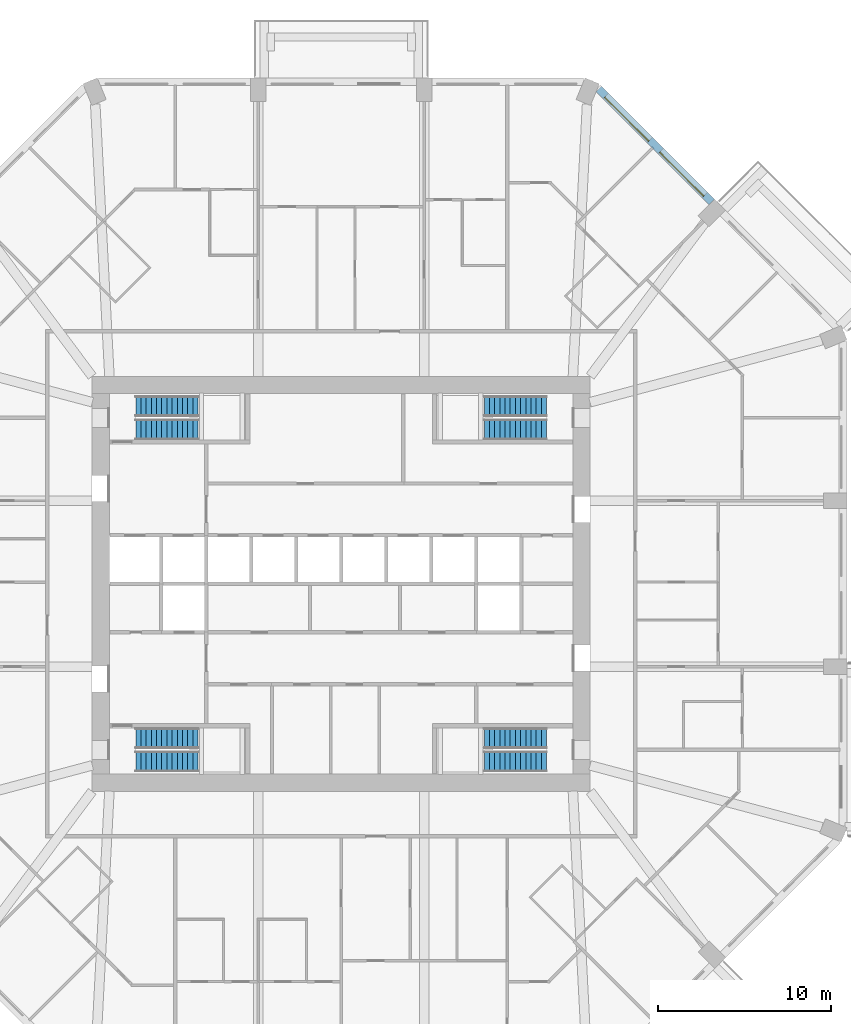
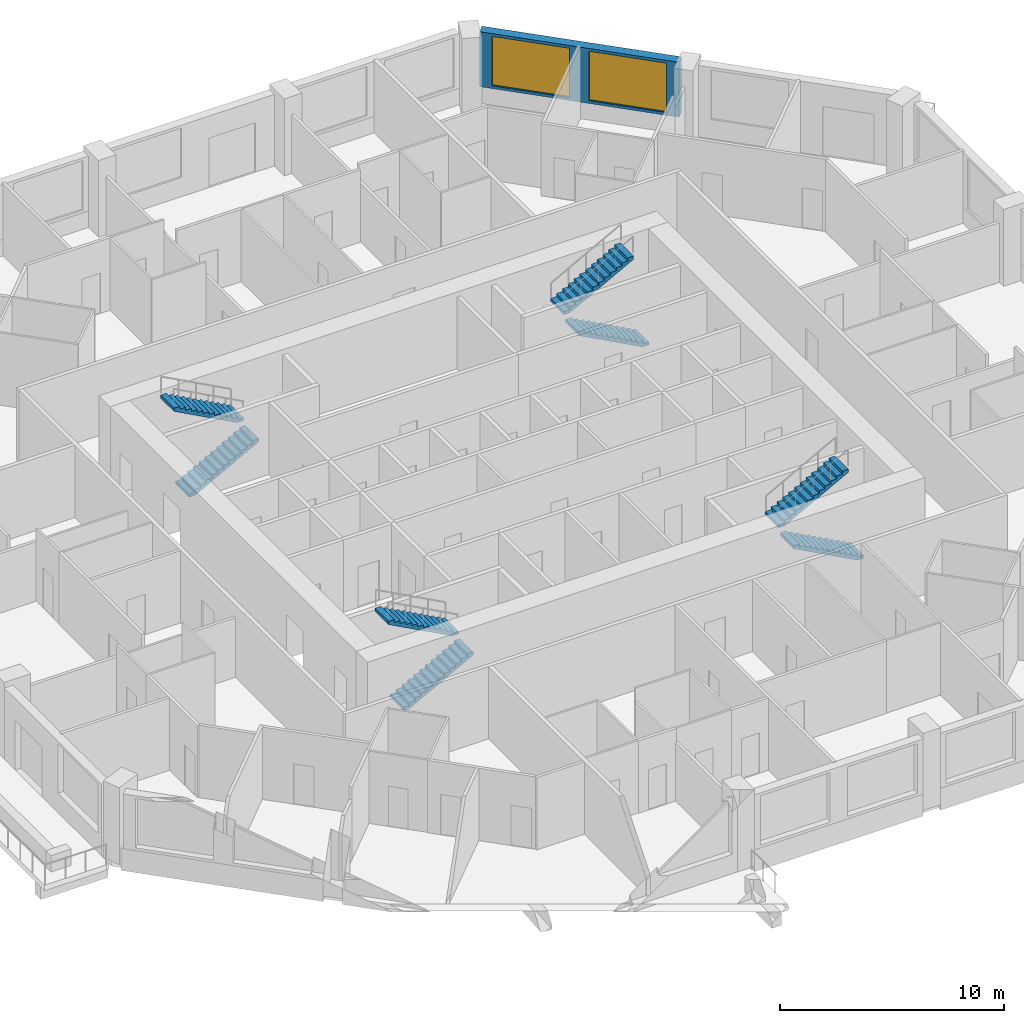
# One storey, part 11 of 13: 8 stair flights, 2 windows, 1 wall, 2 openings, 4 elements without a shape of their own.
"""IFC4 building model written with IfcOpenShell, lengths in metres."""

from ifc_helpers import new_model, si_unit, direction, frame, frame_2d, origin, place, context, subcontext, project, spatial, polyline, rectangle, outline, extrude, material, layer, layer_set, type_object, element, fill, aggregate, save


model = new_model("IFC4")

# Units and contexts
model_context = context("Model", 3, precision=1e-05, world=origin(), true_north=direction((0.0, 1.0)))
body_context = subcontext(model_context, "Body", "Model", "MODEL_VIEW")
ifc_project = project(units=[si_unit("LENGTHUNIT", "METRE"), si_unit("AREAUNIT", "SQUARE_METRE"), si_unit("VOLUMEUNIT", "CUBIC_METRE"), si_unit("PLANEANGLEUNIT", "RADIAN"), si_unit("MASSUNIT", "GRAM", prefix="KILO")], contexts=[model_context])

# Site, building, storey
site_placement = place(None, origin())
site = spatial("IfcSite", under=ifc_project, at=site_placement, CompositionType="ELEMENT")
building_placement = place(site_placement, origin())
building = spatial("IfcBuilding", under=site, at=building_placement, Name="Msitu Wima Residences", CompositionType="ELEMENT")
storey_placement = place(building_placement, frame((0.0, 0.0, 54.89990234375)))
storey = spatial("IfcBuildingStorey", under=building, at=storey_placement, Name="L12", CompositionType="ELEMENT", Elevation=54.89990234375)

# Wall, openings, windows
ifc_material_1 = material(Name="Brick (red buff mix)", Category="masonry")
ifc_layer = layer(ifc_material_1, 0.449951171875)
ifc_layer_set = layer_set([ifc_layer], Name="Brick (red buff mix)")
wall_type = type_object("IfcWallType", Name="Brick infill wall BW450", PredefinedType="SOLIDWALL", material=ifc_layer_set)
wall_placement = place(storey_placement, frame((21.44091796875, 22.077392578125, 0.900146484375), z_axis=(0.0, 0.0, 1.0), x_axis=(-0.707106781187, 0.707106781187, 0.0)))
wall = element("IfcWall", 1, at=wall_placement, inside=storey, type_object=wall_type, Name="Brick infill wall L12 NE1", PredefinedType="SOLIDWALL", context=body_context, shape_type="SweptSolid", body=[
    extrude(rectangle(XDim=9.2451171875, YDim=0.449951171875, at=frame_2d((4.62255859375, 0.0))), origin(), (0.0, 0.0, 1.0), 3.0),
])
opening_1_placement = place(wall_placement, frame((0.572509765625, 0.0, 0.14990234375)))
opening_1 = element("IfcOpeningElement", 2, at=opening_1_placement, cuts=wall, Name="Opening W11-12.012", PredefinedType="OPENING", context=body_context, shape_type="SweptSolid", body=[
    extrude(rectangle(XDim=3.60009765625, YDim=2.699951171875, at=frame_2d((1.800048828125, 1.35009765625))), frame((0.0, 0.23486328125, 0.0), z_axis=(0.0, -1.0, 0.0), x_axis=(1.0, 0.0, 0.0)), (0.0, 0.0, 1.0), 0.469970703125),
])
opening_2_placement = place(wall_placement, frame((5.072509765625, 0.0, 0.14990234375)))
opening_2 = element("IfcOpeningElement", 3, at=opening_2_placement, cuts=wall, Name="Opening W11-12.013", PredefinedType="OPENING", context=body_context, shape_type="SweptSolid", body=[
    extrude(rectangle(XDim=3.60009765625, YDim=2.699951171875, at=frame_2d((1.800048828125, 1.35009765625))), frame((0.0, 0.23486328125, 0.0), z_axis=(0.0, -1.0, 0.0), x_axis=(1.0, 0.0, 0.0)), (0.0, 0.0, 1.0), 0.469970703125),
])
ifc_material_2 = material(Name="Anodised aluminium, bronze finish, clear low-emissivity double glazing", Category="aluminium")
window_type = type_object("IfcWindowType", Name="Window W3600x2700", PartitioningType="DOUBLE_PANEL_VERTICAL", PredefinedType="WINDOW", material=ifc_material_2)
window_1_placement = place(opening_1_placement, origin())
window_1 = element("IfcWindow", 4, at=window_1_placement, inside=storey, type_object=window_type, Name="Window L12 NE1.1", OverallHeight=2.699951171875, OverallWidth=3.60009765625, PartitioningType="SINGLE_PANEL", PredefinedType="WINDOW", context=body_context, shape_type="SweptSolid", body=[
    extrude(rectangle(XDim=3.60009765625, YDim=2.699951171875, at=frame_2d((1.800048828125, 1.35009765625))), frame((0.0, 0.135009765625, 0.0), z_axis=(0.0, -1.0, 0.0), x_axis=(1.0, 0.0, 0.0)), (0.0, 0.0, 1.0), 0.06005859375),
])
fill(opening_1, window_1)
window_2_placement = place(opening_2_placement, origin())
window_2 = element("IfcWindow", 5, at=window_2_placement, inside=storey, type_object=window_type, Name="Window L12 NE1.2", OverallHeight=2.699951171875, OverallWidth=3.60009765625, PartitioningType="SINGLE_PANEL", PredefinedType="WINDOW", context=body_context, shape_type="SweptSolid", body=[
    extrude(rectangle(XDim=3.60009765625, YDim=2.699951171875, at=frame_2d((1.800048828125, 1.35009765625))), frame((0.0, 0.135009765625, 0.0), z_axis=(0.0, -1.0, 0.0), x_axis=(1.0, 0.0, 0.0)), (0.0, 0.0, 1.0), 0.06005859375),
])
fill(opening_2, window_2)

# Stair, stair flights
ifc_material_3 = material(Name="Concrete C40/50", Category="concrete")
stair_type = type_object("IfcStairType", Name="Exit stair ES1615-120", PredefinedType="HALF_TURN_STAIR", material=ifc_material_3)
stair_1_placement = place(storey_placement, origin())
stair_1 = element("IfcStair", 6, at=stair_1_placement, inside=storey, type_object=stair_type, Name="Exit stair 1", PredefinedType="HALF_TURN_STAIR")
stair_flight_type = type_object("IfcStairFlightType", Name="Exit stair flight ES1615-120", PredefinedType="STRAIGHT", material=ifc_material_3)
stair_flight_1_placement = place(storey_placement, frame((-11.875, 8.925048828125, 0.0), z_axis=(0.0, 0.0, 1.0), x_axis=(1.0, 0.0, 0.0)))
stair_flight_1 = element("IfcStairFlight", 7, at=stair_flight_1_placement, type_object=stair_flight_type, Name="S1 flight 1", NumberOfRisers=13, NumberOfTreads=12, PredefinedType="STRAIGHT", RiserHeight=0.161538462, TreadLength=0.3, context=body_context, shape_type="SweptSolid", body=[
    extrude(outline(polyline([(0.0, 0.0), (0.0, 0.16162109375), (0.300048828125, 0.16162109375), (0.300048828125, 0.322998046875), (0.60009765625, 0.322998046875), (0.60009765625, 0.484619140625), (0.89990234375, 0.484619140625), (0.89990234375, 0.646240234375), (1.199951171875, 0.646240234375), (1.199951171875, 0.8076171875), (1.5, 0.8076171875), (1.5, 0.96923828125), (1.800048828125, 0.96923828125), (1.800048828125, 1.130859375), (2.10009765625, 1.130859375), (2.10009765625, 1.292236328125), (2.39990234375, 1.292236328125), (2.39990234375, 1.453857421875), (2.699951171875, 1.453857421875), (2.699951171875, 1.615478515625), (3.0, 1.615478515625), (3.0, 1.77685546875), (3.300048828125, 1.77685546875), (3.300048828125, 1.9384765625), (3.60009765625, 1.9384765625), (3.60009765625, 2.10009765625), (3.60009765625, 1.768310546875), (0.316162109375, 0.0), (0.0, 0.0)])), frame((0.0, 0.60009765625, 0.0), z_axis=(0.0, -1.0, 0.0), x_axis=(1.0, 0.0, 0.0)), (0.0, 0.0, 1.0), 1.199951171875),
])
stair_flight_2_placement = place(storey_placement, frame((-8.27490234375, 10.27490234375, 2.10009765625), z_axis=(0.0, 0.0, 1.0), x_axis=(-1.0, 0.0, 0.0)))
stair_flight_2 = element("IfcStairFlight", 8, at=stair_flight_2_placement, type_object=stair_flight_type, Name="S1 flight 2", NumberOfRisers=13, NumberOfTreads=12, PredefinedType="STRAIGHT", RiserHeight=0.161538462, TreadLength=0.3, context=body_context, shape_type="SweptSolid", body=[
    extrude(outline(polyline([(0.0, 0.0), (0.0, 0.16162109375), (0.300048828125, 0.16162109375), (0.300048828125, 0.322998046875), (0.60009765625, 0.322998046875), (0.60009765625, 0.484619140625), (0.89990234375, 0.484619140625), (0.89990234375, 0.646240234375), (1.199951171875, 0.646240234375), (1.199951171875, 0.8076171875), (1.5, 0.8076171875), (1.5, 0.96923828125), (1.800048828125, 0.96923828125), (1.800048828125, 1.130859375), (2.10009765625, 1.130859375), (2.10009765625, 1.292236328125), (2.39990234375, 1.292236328125), (2.39990234375, 1.453857421875), (2.699951171875, 1.453857421875), (2.699951171875, 1.615478515625), (3.0, 1.615478515625), (3.0, 1.77685546875), (3.300048828125, 1.77685546875), (3.300048828125, 1.9384765625), (3.60009765625, 1.9384765625), (3.60009765625, 2.10009765625), (3.60009765625, 1.768310546875), (0.316162109375, 0.0), (0.0, 0.0)])), frame((0.0, 0.60009765625, 0.0), z_axis=(0.0, -1.0, 0.0), x_axis=(1.0, 0.0, 0.0)), (0.0, 0.0, 1.0), 1.199951171875),
])
aggregate(stair_1, [stair_flight_1, stair_flight_2])

stair_2_placement = place(storey_placement, origin())
stair_2 = element("IfcStair", 9, at=stair_2_placement, inside=storey, type_object=stair_type, Name="Exit stair 2", PredefinedType="HALF_TURN_STAIR")
stair_flight_3_placement = place(storey_placement, frame((-11.875, -10.27490234375, 0.0), z_axis=(0.0, 0.0, 1.0), x_axis=(1.0, 0.0, 0.0)))
stair_flight_3 = element("IfcStairFlight", 10, at=stair_flight_3_placement, type_object=stair_flight_type, Name="S2 flight 1", NumberOfRisers=13, NumberOfTreads=12, PredefinedType="STRAIGHT", RiserHeight=0.161538462, TreadLength=0.3, context=body_context, shape_type="SweptSolid", body=[
    extrude(outline(polyline([(0.0, 0.0), (0.0, 0.16162109375), (0.300048828125, 0.16162109375), (0.300048828125, 0.322998046875), (0.60009765625, 0.322998046875), (0.60009765625, 0.484619140625), (0.89990234375, 0.484619140625), (0.89990234375, 0.646240234375), (1.199951171875, 0.646240234375), (1.199951171875, 0.8076171875), (1.5, 0.8076171875), (1.5, 0.96923828125), (1.800048828125, 0.96923828125), (1.800048828125, 1.130859375), (2.10009765625, 1.130859375), (2.10009765625, 1.292236328125), (2.39990234375, 1.292236328125), (2.39990234375, 1.453857421875), (2.699951171875, 1.453857421875), (2.699951171875, 1.615478515625), (3.0, 1.615478515625), (3.0, 1.77685546875), (3.300048828125, 1.77685546875), (3.300048828125, 1.9384765625), (3.60009765625, 1.9384765625), (3.60009765625, 2.10009765625), (3.60009765625, 1.768310546875), (0.316162109375, 0.0), (0.0, 0.0)])), frame((0.0, 0.60009765625, 0.0), z_axis=(0.0, -1.0, 0.0), x_axis=(1.0, 0.0, 0.0)), (0.0, 0.0, 1.0), 1.199951171875),
])
stair_flight_4_placement = place(storey_placement, frame((-8.27490234375, -8.925048828125, 2.10009765625), z_axis=(0.0, 0.0, 1.0), x_axis=(-1.0, 0.0, 0.0)))
stair_flight_4 = element("IfcStairFlight", 11, at=stair_flight_4_placement, type_object=stair_flight_type, Name="S2 flight 2", NumberOfRisers=13, NumberOfTreads=12, PredefinedType="STRAIGHT", RiserHeight=0.161538462, TreadLength=0.3, context=body_context, shape_type="SweptSolid", body=[
    extrude(outline(polyline([(0.0, 0.0), (0.0, 0.16162109375), (0.300048828125, 0.16162109375), (0.300048828125, 0.322998046875), (0.60009765625, 0.322998046875), (0.60009765625, 0.484619140625), (0.89990234375, 0.484619140625), (0.89990234375, 0.646240234375), (1.199951171875, 0.646240234375), (1.199951171875, 0.8076171875), (1.5, 0.8076171875), (1.5, 0.96923828125), (1.800048828125, 0.96923828125), (1.800048828125, 1.130859375), (2.10009765625, 1.130859375), (2.10009765625, 1.292236328125), (2.39990234375, 1.292236328125), (2.39990234375, 1.453857421875), (2.699951171875, 1.453857421875), (2.699951171875, 1.615478515625), (3.0, 1.615478515625), (3.0, 1.77685546875), (3.300048828125, 1.77685546875), (3.300048828125, 1.9384765625), (3.60009765625, 1.9384765625), (3.60009765625, 2.10009765625), (3.60009765625, 1.768310546875), (0.316162109375, 0.0), (0.0, 0.0)])), frame((0.0, 0.60009765625, 0.0), z_axis=(0.0, -1.0, 0.0), x_axis=(1.0, 0.0, 0.0)), (0.0, 0.0, 1.0), 1.199951171875),
])
aggregate(stair_2, [stair_flight_3, stair_flight_4])

stair_3_placement = place(storey_placement, origin())
stair_3 = element("IfcStair", 12, at=stair_3_placement, inside=storey, type_object=stair_type, Name="Exit stair 3", PredefinedType="HALF_TURN_STAIR")
stair_flight_5_placement = place(storey_placement, frame((11.875, 8.925048828125, 0.0), z_axis=(0.0, 0.0, 1.0), x_axis=(-1.0, 0.0, 0.0)))
stair_flight_5 = element("IfcStairFlight", 13, at=stair_flight_5_placement, type_object=stair_flight_type, Name="S3 flight 1", NumberOfRisers=13, NumberOfTreads=12, PredefinedType="STRAIGHT", RiserHeight=0.161538462, TreadLength=0.3, context=body_context, shape_type="SweptSolid", body=[
    extrude(outline(polyline([(0.0, 0.0), (0.0, 0.16162109375), (0.300048828125, 0.16162109375), (0.300048828125, 0.322998046875), (0.60009765625, 0.322998046875), (0.60009765625, 0.484619140625), (0.89990234375, 0.484619140625), (0.89990234375, 0.646240234375), (1.199951171875, 0.646240234375), (1.199951171875, 0.8076171875), (1.5, 0.8076171875), (1.5, 0.96923828125), (1.800048828125, 0.96923828125), (1.800048828125, 1.130859375), (2.10009765625, 1.130859375), (2.10009765625, 1.292236328125), (2.39990234375, 1.292236328125), (2.39990234375, 1.453857421875), (2.699951171875, 1.453857421875), (2.699951171875, 1.615478515625), (3.0, 1.615478515625), (3.0, 1.77685546875), (3.300048828125, 1.77685546875), (3.300048828125, 1.9384765625), (3.60009765625, 1.9384765625), (3.60009765625, 2.10009765625), (3.60009765625, 1.768310546875), (0.316162109375, 0.0), (0.0, 0.0)])), frame((0.0, 0.60009765625, 0.0), z_axis=(0.0, -1.0, 0.0), x_axis=(1.0, 0.0, 0.0)), (0.0, 0.0, 1.0), 1.199951171875),
])
stair_flight_6_placement = place(storey_placement, frame((8.27490234375, 10.27490234375, 2.10009765625), z_axis=(0.0, 0.0, 1.0), x_axis=(1.0, 0.0, 0.0)))
stair_flight_6 = element("IfcStairFlight", 14, at=stair_flight_6_placement, type_object=stair_flight_type, Name="S3 flight 2", NumberOfRisers=13, NumberOfTreads=12, PredefinedType="STRAIGHT", RiserHeight=0.161538462, TreadLength=0.3, context=body_context, shape_type="SweptSolid", body=[
    extrude(outline(polyline([(0.0, 0.0), (0.0, 0.16162109375), (0.300048828125, 0.16162109375), (0.300048828125, 0.322998046875), (0.60009765625, 0.322998046875), (0.60009765625, 0.484619140625), (0.89990234375, 0.484619140625), (0.89990234375, 0.646240234375), (1.199951171875, 0.646240234375), (1.199951171875, 0.8076171875), (1.5, 0.8076171875), (1.5, 0.96923828125), (1.800048828125, 0.96923828125), (1.800048828125, 1.130859375), (2.10009765625, 1.130859375), (2.10009765625, 1.292236328125), (2.39990234375, 1.292236328125), (2.39990234375, 1.453857421875), (2.699951171875, 1.453857421875), (2.699951171875, 1.615478515625), (3.0, 1.615478515625), (3.0, 1.77685546875), (3.300048828125, 1.77685546875), (3.300048828125, 1.9384765625), (3.60009765625, 1.9384765625), (3.60009765625, 2.10009765625), (3.60009765625, 1.768310546875), (0.316162109375, 0.0), (0.0, 0.0)])), frame((0.0, 0.60009765625, 0.0), z_axis=(0.0, -1.0, 0.0), x_axis=(1.0, 0.0, 0.0)), (0.0, 0.0, 1.0), 1.199951171875),
])
aggregate(stair_3, [stair_flight_5, stair_flight_6])

stair_4_placement = place(storey_placement, origin())
stair_4 = element("IfcStair", 15, at=stair_4_placement, inside=storey, type_object=stair_type, Name="Exit stair 4", PredefinedType="HALF_TURN_STAIR")
stair_flight_7_placement = place(storey_placement, frame((11.875, -10.27490234375, 0.0), z_axis=(0.0, 0.0, 1.0), x_axis=(-1.0, 0.0, 0.0)))
stair_flight_7 = element("IfcStairFlight", 16, at=stair_flight_7_placement, type_object=stair_flight_type, Name="S4 flight 1", NumberOfRisers=13, NumberOfTreads=12, PredefinedType="STRAIGHT", RiserHeight=0.161538462, TreadLength=0.3, context=body_context, shape_type="SweptSolid", body=[
    extrude(outline(polyline([(0.0, 0.0), (0.0, 0.16162109375), (0.300048828125, 0.16162109375), (0.300048828125, 0.322998046875), (0.60009765625, 0.322998046875), (0.60009765625, 0.484619140625), (0.89990234375, 0.484619140625), (0.89990234375, 0.646240234375), (1.199951171875, 0.646240234375), (1.199951171875, 0.8076171875), (1.5, 0.8076171875), (1.5, 0.96923828125), (1.800048828125, 0.96923828125), (1.800048828125, 1.130859375), (2.10009765625, 1.130859375), (2.10009765625, 1.292236328125), (2.39990234375, 1.292236328125), (2.39990234375, 1.453857421875), (2.699951171875, 1.453857421875), (2.699951171875, 1.615478515625), (3.0, 1.615478515625), (3.0, 1.77685546875), (3.300048828125, 1.77685546875), (3.300048828125, 1.9384765625), (3.60009765625, 1.9384765625), (3.60009765625, 2.10009765625), (3.60009765625, 1.768310546875), (0.316162109375, 0.0), (0.0, 0.0)])), frame((0.0, 0.60009765625, 0.0), z_axis=(0.0, -1.0, 0.0), x_axis=(1.0, 0.0, 0.0)), (0.0, 0.0, 1.0), 1.199951171875),
])
stair_flight_8_placement = place(storey_placement, frame((8.27490234375, -8.925048828125, 2.10009765625), z_axis=(0.0, 0.0, 1.0), x_axis=(1.0, 0.0, 0.0)))
stair_flight_8 = element("IfcStairFlight", 17, at=stair_flight_8_placement, type_object=stair_flight_type, Name="S4 flight 2", NumberOfRisers=13, NumberOfTreads=12, PredefinedType="STRAIGHT", RiserHeight=0.161538462, TreadLength=0.3, context=body_context, shape_type="SweptSolid", body=[
    extrude(outline(polyline([(0.0, 0.0), (0.0, 0.16162109375), (0.300048828125, 0.16162109375), (0.300048828125, 0.322998046875), (0.60009765625, 0.322998046875), (0.60009765625, 0.484619140625), (0.89990234375, 0.484619140625), (0.89990234375, 0.646240234375), (1.199951171875, 0.646240234375), (1.199951171875, 0.8076171875), (1.5, 0.8076171875), (1.5, 0.96923828125), (1.800048828125, 0.96923828125), (1.800048828125, 1.130859375), (2.10009765625, 1.130859375), (2.10009765625, 1.292236328125), (2.39990234375, 1.292236328125), (2.39990234375, 1.453857421875), (2.699951171875, 1.453857421875), (2.699951171875, 1.615478515625), (3.0, 1.615478515625), (3.0, 1.77685546875), (3.300048828125, 1.77685546875), (3.300048828125, 1.9384765625), (3.60009765625, 1.9384765625), (3.60009765625, 2.10009765625), (3.60009765625, 1.768310546875), (0.316162109375, 0.0), (0.0, 0.0)])), frame((0.0, 0.60009765625, 0.0), z_axis=(0.0, -1.0, 0.0), x_axis=(1.0, 0.0, 0.0)), (0.0, 0.0, 1.0), 1.199951171875),
])
aggregate(stair_4, [stair_flight_7, stair_flight_8])

save(model, "model.ifc")
